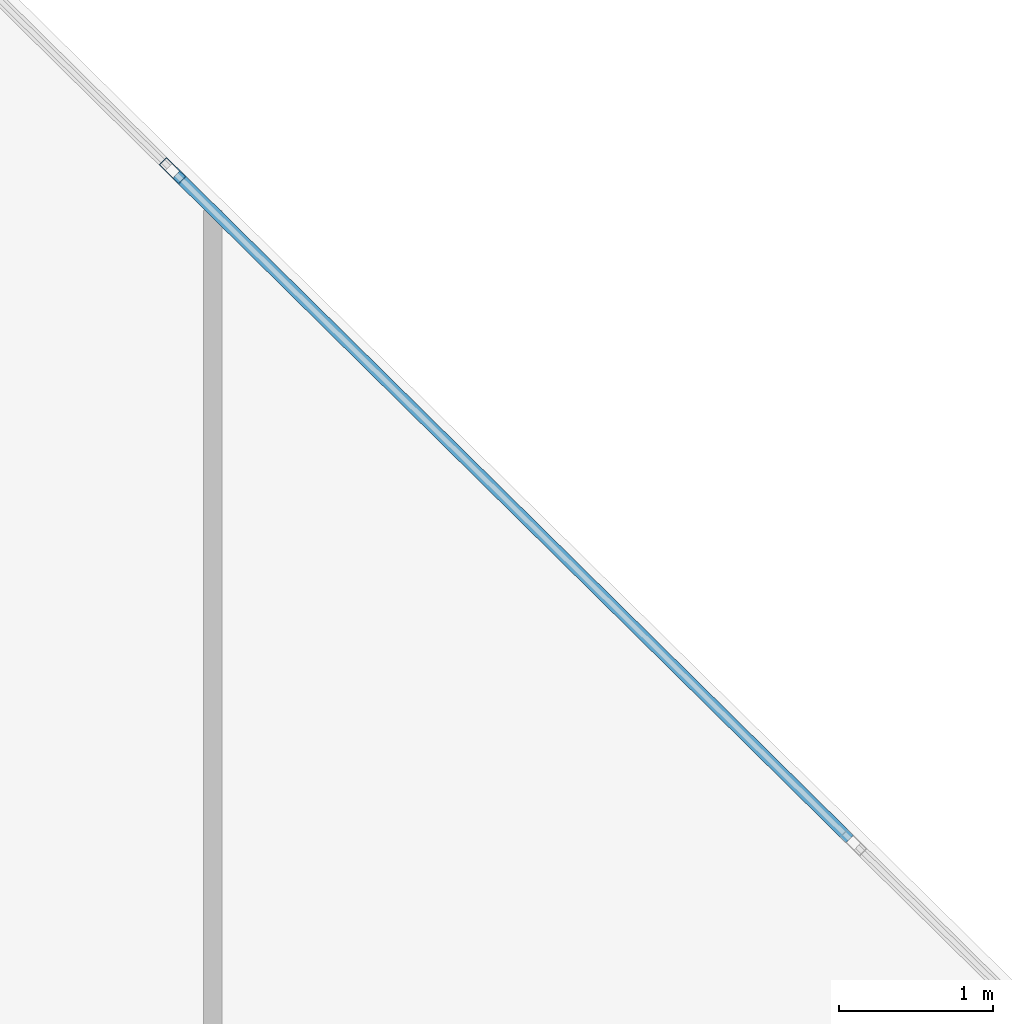
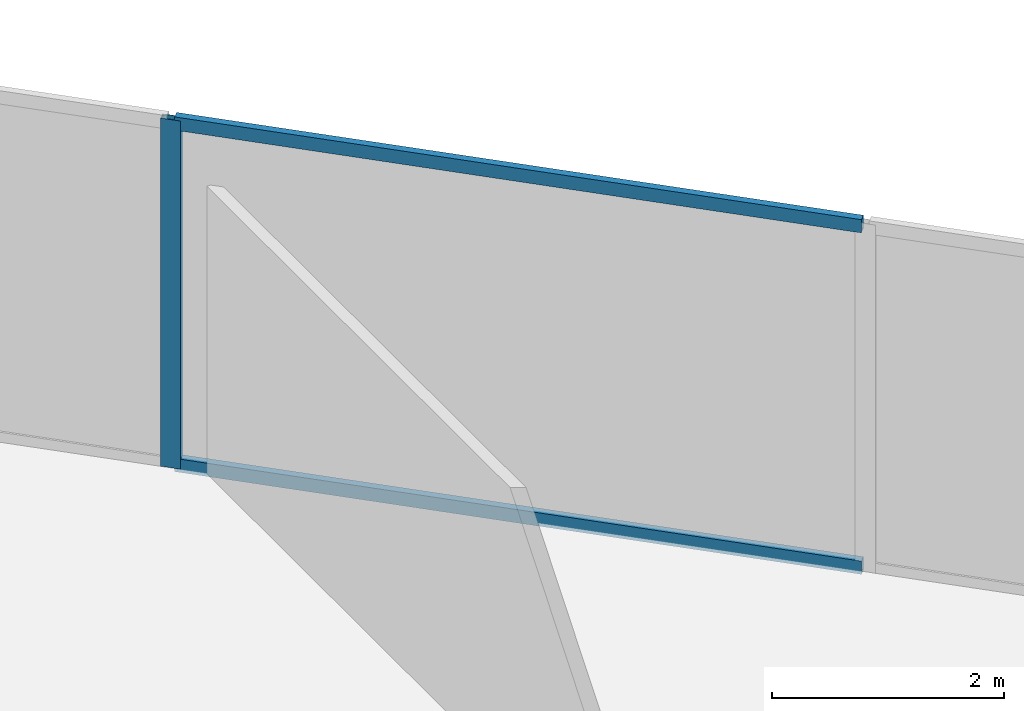
# One storey, part 19 of 24: 3 members, 1 element without a shape of its own.
"""IFC4 building model written with IfcOpenShell, lengths in metres."""

from ifc_helpers import new_model, si_unit, direction, frame, origin, origin_2d, place, context, subcontext, project, spatial, hollow_rectangle, extrude, source, transform, mapped, material, material_profile, profile_set, type_object, type_shapes, element, aggregate, save


model = new_model("IFC4")

# Units and contexts
model_context = context("Model", 3, precision=1e-05, world=origin(), true_north=direction((0.0, 1.0)))
body_context = subcontext(model_context, "Body", "Model", "MODEL_VIEW")
ifc_project = project(units=[si_unit("LENGTHUNIT", "METRE"), si_unit("AREAUNIT", "SQUARE_METRE"), si_unit("VOLUMEUNIT", "CUBIC_METRE"), si_unit("PLANEANGLEUNIT", "RADIAN"), si_unit("MASSUNIT", "GRAM", prefix="KILO")], contexts=[model_context])

# Site, building, storey
site_placement = place(None, origin())
site = spatial("IfcSite", under=ifc_project, at=site_placement, CompositionType="ELEMENT")
building_placement = place(site_placement, origin())
building = spatial("IfcBuilding", under=site, at=building_placement, Name="Krantzveldt Concourse Tower", CompositionType="ELEMENT")
storey_placement = place(building_placement, frame((0.0, 0.0, 234.949951171875)))
storey = spatial("IfcBuildingStorey", under=building, at=storey_placement, Name="L57", CompositionType="ELEMENT", Elevation=234.949951171875)

# Curtain wall, members
ifc_material = material(Name="Anodised aluminium 6063-T6", Category="aluminium")
curtain_wall_type = type_object("IfcCurtainWallType", Name="CW3", PredefinedType="USERDEFINED", material=ifc_material)
curtain_wall_placement = place(storey_placement, origin())
curtain_wall = element("IfcCurtainWall", 1, at=curtain_wall_placement, inside=storey, type_object=curtain_wall_type, Name="CW-L57-F10", ObjectType="UNITISED CURTAIN WALL", PredefinedType="USERDEFINED")
ifc_material_profile_1 = material_profile(ifc_material, hollow_rectangle(XDim=0.070068359375, YDim=0.179931640625, WallThickness=0.0048828125, at=origin_2d()), Name="Anodised aluminium 6063-T6", Category="aluminium")
ifc_profile_set_1 = profile_set([ifc_material_profile_1], Name="Anodised aluminium 6063-T6 - ALU-MULL 180x70x5")
member_type_1 = type_object("IfcMemberType", Name="CW-MUL-180", PredefinedType="MULLION", material=ifc_profile_set_1)
shared_shape_1 = source(origin(), body_context, "Body", "SweptSolid", [
    extrude(hollow_rectangle(XDim=0.070068359375, YDim=0.179931640625, WallThickness=0.0048828125, at=origin_2d()), origin(), (0.0, 0.0, 1.0), 3.670166015625),
])
type_shapes(member_type_1, [shared_shape_1])
member_1_placement = place(storey_placement, frame((43.71826171875, 47.759033203125, 0.0), z_axis=(0.0, 0.0, 1.0), x_axis=(-0.702463570854, -0.711719700179, 0.0)))
member_1 = element("IfcMember", 2, at=member_1_placement, type_object=member_type_1, Name="CW-Z34 mullion 5", PredefinedType="MULLION", context=body_context, shape_type="MappedRepresentation", body=[
    mapped(shared_shape_1, transform((0.0, 0.0, 0.0), x_axis=(1.0, 0.0, 0.0), y_axis=(0.0, 1.0, 0.0), z_axis=(0.0, 0.0, 1.0), scale=1.0)),
])
ifc_material_profile_2 = material_profile(ifc_material, hollow_rectangle(XDim=0.070068359375, YDim=0.139892578125, WallThickness=0.0048828125, at=origin_2d()), Name="Anodised aluminium 6063-T6", Category="aluminium")
ifc_profile_set_2 = profile_set([ifc_material_profile_2], Name="Anodised aluminium 6063-T6 - ALU-TRAN 140x70x5")
member_type_2 = type_object("IfcMemberType", Name="CW-TRN-150", PredefinedType="USERDEFINED", material=ifc_profile_set_2)
shared_shape_2 = source(origin(), body_context, "Body", "SweptSolid", [
    extrude(hollow_rectangle(XDim=0.070068359375, YDim=0.139892578125, WallThickness=0.0048828125, at=origin_2d()), origin(), (0.0, 0.0, 1.0), 6.1298828125),
])
type_shapes(member_type_2, [shared_shape_2])
member_2_placement = place(storey_placement, frame((48.10595703125, 43.428466796875, 0.03515625), z_axis=(-0.71171164102, 0.702471736112, 0.0), x_axis=(-0.702471736112, -0.71171164102, 0.0)))
member_2 = element("IfcMember", 3, at=member_2_placement, type_object=member_type_2, Name="CW-Z34 transom 4.1", ObjectType="TRANSOM", PredefinedType="USERDEFINED", context=body_context, shape_type="MappedRepresentation", body=[
    mapped(shared_shape_2, transform((0.0, 0.0, 0.0), x_axis=(1.0, 0.0, 0.0), y_axis=(0.0, 1.0, 0.0), z_axis=(0.0, 0.0, 1.0), scale=1.0)),
])
member_3_placement = place(storey_placement, frame((48.10595703125, 43.428466796875, 3.635009765625), z_axis=(-0.71171164102, 0.702471736112, 0.0), x_axis=(-0.702471736112, -0.71171164102, 0.0)))
member_3 = element("IfcMember", 4, at=member_3_placement, type_object=member_type_2, Name="CW-Z34 transom 4.2", ObjectType="TRANSOM", PredefinedType="USERDEFINED", context=body_context, shape_type="MappedRepresentation", body=[
    mapped(shared_shape_2, transform((0.0, 0.0, 0.0), x_axis=(1.0, 0.0, 0.0), y_axis=(0.0, 1.0, 0.0), z_axis=(0.0, 0.0, 1.0), scale=1.0)),
])
aggregate(curtain_wall, [member_1, member_2, member_3])

save(model, "model.ifc")
